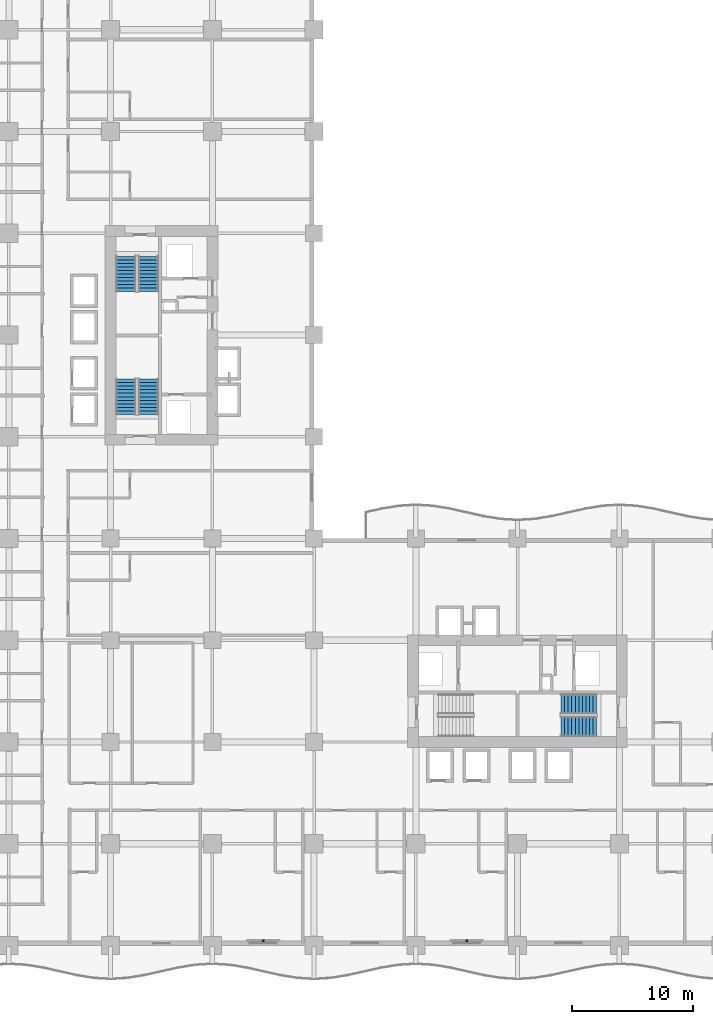
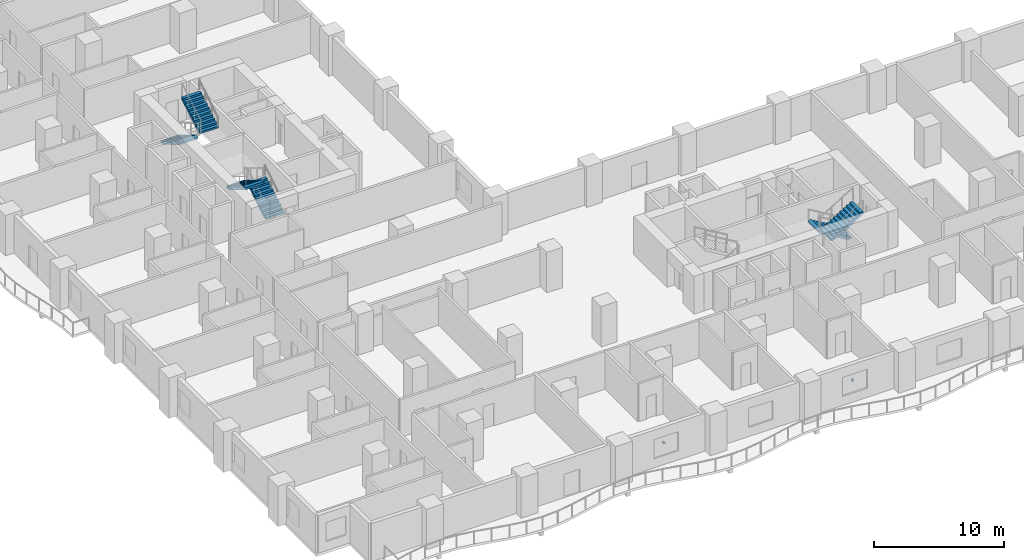
# One storey, part 18 of 23: 6 stair flights, 2 discrete accessories, 3 elements without a shape of their own.
"""IFC4 building model written with IfcOpenShell, lengths in metres."""

from ifc_helpers import new_model, si_unit, direction, frame, origin, origin_2d, place, context, subcontext, project, spatial, polyline, rectangle, outline, extrude, material, type_object, element, aggregate, save


model = new_model("IFC4")

# Units and contexts
model_context = context("Model", 3, precision=1e-05, world=origin(), true_north=direction((0.0, 1.0)))
body_context = subcontext(model_context, "Body", "Model", "MODEL_VIEW")
ifc_project = project(units=[si_unit("LENGTHUNIT", "METRE"), si_unit("AREAUNIT", "SQUARE_METRE"), si_unit("VOLUMEUNIT", "CUBIC_METRE"), si_unit("PLANEANGLEUNIT", "RADIAN"), si_unit("MASSUNIT", "GRAM", prefix="KILO")], contexts=[model_context])

# Site, building, storey
site_placement = place(None, origin())
site = spatial("IfcSite", under=ifc_project, at=site_placement, CompositionType="ELEMENT")
building_placement = place(site_placement, origin())
building = spatial("IfcBuilding", under=site, at=building_placement, Name="Koriwani Terraces Tower", CompositionType="ELEMENT")
storey_placement = place(building_placement, frame((0.0, 0.0, 32.0)))
storey = spatial("IfcBuildingStorey", under=building, at=storey_placement, Name="L06", CompositionType="ELEMENT", Elevation=32.0)

# Stair, stair flights
ifc_material_1 = material(Name="Concrete C40/50", Category="concrete")
stair_type = type_object("IfcStairType", Name="STAIR_CORE_DOGLEG_1650", PredefinedType="TWO_STRAIGHT_RUN_STAIR", material=ifc_material_1)
stair_1_placement = place(storey_placement, origin())
stair_1 = element("IfcStair", 1, at=stair_1_placement, inside=storey, type_object=stair_type, Name="L06 West Core Exit Stair 1", PredefinedType="HALF_TURN_STAIR")
stair_flight_type = type_object("IfcStairFlightType", Name="STAIR_FLIGHT_RC_1650", PredefinedType="STRAIGHT", material=ifc_material_1)
stair_flight_1_placement = place(storey_placement, frame((19.925048828125, 43.85009765625, 0.0), z_axis=(0.0, 0.0, 1.0), x_axis=(0.0, 1.0, 0.0)))
stair_flight_1 = element("IfcStairFlight", 2, at=stair_flight_1_placement, type_object=stair_flight_type, Name="ST-W1 flight 1", NumberOfRisers=11, NumberOfTreads=10, PredefinedType="STRAIGHT", RiserHeight=0.172727273, TreadLength=0.29, context=body_context, shape_type="SweptSolid", body=[
    extrude(outline(polyline([(0.0, 0.0), (0.0, 0.172607421875), (0.2900390625, 0.172607421875), (0.2900390625, 0.345458984375), (0.580078125, 0.345458984375), (0.580078125, 0.51806640625), (0.8701171875, 0.51806640625), (0.8701171875, 0.69091796875), (1.159912109375, 0.69091796875), (1.159912109375, 0.863525390625), (1.449951171875, 0.863525390625), (1.449951171875, 1.036376953125), (1.739990234375, 1.036376953125), (1.739990234375, 1.208984375), (2.030029296875, 1.208984375), (2.030029296875, 1.3818359375), (2.320068359375, 1.3818359375), (2.320068359375, 1.554443359375), (2.610107421875, 1.554443359375), (2.610107421875, 1.727294921875), (2.89990234375, 1.727294921875), (2.89990234375, 1.89990234375), (2.89990234375, 1.517822265625), (0.3515625, 0.0), (0.0, 0.0)])), frame((0.0, 0.824951171875, 0.0), z_axis=(0.0, -1.0, 0.0), x_axis=(1.0, 0.0, 0.0)), (0.0, 0.0, 1.0), 1.64990234375),
])
stair_flight_2_placement = place(storey_placement, frame((18.074951171875, 46.75, 1.89990234375), z_axis=(0.0, 0.0, 1.0), x_axis=(0.0, -1.0, 0.0)))
stair_flight_2 = element("IfcStairFlight", 3, at=stair_flight_2_placement, type_object=stair_flight_type, Name="ST-W1 flight 2", NumberOfRisers=11, NumberOfTreads=10, PredefinedType="STRAIGHT", RiserHeight=0.172727273, TreadLength=0.29, context=body_context, shape_type="SweptSolid", body=[
    extrude(outline(polyline([(0.0, 0.0), (0.0, 0.172607421875), (0.2900390625, 0.172607421875), (0.2900390625, 0.345458984375), (0.580078125, 0.345458984375), (0.580078125, 0.51806640625), (0.8701171875, 0.51806640625), (0.8701171875, 0.69091796875), (1.159912109375, 0.69091796875), (1.159912109375, 0.863525390625), (1.449951171875, 0.863525390625), (1.449951171875, 1.036376953125), (1.739990234375, 1.036376953125), (1.739990234375, 1.208984375), (2.030029296875, 1.208984375), (2.030029296875, 1.3818359375), (2.320068359375, 1.3818359375), (2.320068359375, 1.554443359375), (2.610107421875, 1.554443359375), (2.610107421875, 1.727294921875), (2.89990234375, 1.727294921875), (2.89990234375, 1.89990234375), (2.89990234375, 1.517822265625), (0.3515625, 0.0), (0.0, 0.0)])), frame((0.0, 0.824951171875, 0.0), z_axis=(0.0, -1.0, 0.0), x_axis=(1.0, 0.0, 0.0)), (0.0, 0.0, 1.0), 1.64990234375),
])
aggregate(stair_1, [stair_flight_1, stair_flight_2])

stair_2_placement = place(storey_placement, origin())
stair_2 = element("IfcStair", 4, at=stair_2_placement, inside=storey, type_object=stair_type, Name="L06 West Core Exit Stair 2", PredefinedType="HALF_TURN_STAIR")
stair_flight_3_placement = place(storey_placement, frame((18.074951171875, 56.89990234375, 0.0), z_axis=(0.0, 0.0, 1.0), x_axis=(0.0, -1.0, 0.0)))
stair_flight_3 = element("IfcStairFlight", 5, at=stair_flight_3_placement, type_object=stair_flight_type, Name="ST-W2 flight 1", NumberOfRisers=11, NumberOfTreads=10, PredefinedType="STRAIGHT", RiserHeight=0.172727273, TreadLength=0.29, context=body_context, shape_type="SweptSolid", body=[
    extrude(outline(polyline([(0.0, 0.0), (0.0, 0.172607421875), (0.2900390625, 0.172607421875), (0.2900390625, 0.345458984375), (0.580078125, 0.345458984375), (0.580078125, 0.51806640625), (0.8701171875, 0.51806640625), (0.8701171875, 0.69091796875), (1.159912109375, 0.69091796875), (1.159912109375, 0.863525390625), (1.449951171875, 0.863525390625), (1.449951171875, 1.036376953125), (1.739990234375, 1.036376953125), (1.739990234375, 1.208984375), (2.030029296875, 1.208984375), (2.030029296875, 1.3818359375), (2.320068359375, 1.3818359375), (2.320068359375, 1.554443359375), (2.610107421875, 1.554443359375), (2.610107421875, 1.727294921875), (2.89990234375, 1.727294921875), (2.89990234375, 1.89990234375), (2.89990234375, 1.517822265625), (0.3515625, 0.0), (0.0, 0.0)])), frame((0.0, 0.824951171875, 0.0), z_axis=(0.0, -1.0, 0.0), x_axis=(1.0, 0.0, 0.0)), (0.0, 0.0, 1.0), 1.64990234375),
])
stair_flight_4_placement = place(storey_placement, frame((19.925048828125, 54.0, 1.89990234375), z_axis=(0.0, 0.0, 1.0), x_axis=(0.0, 1.0, 0.0)))
stair_flight_4 = element("IfcStairFlight", 6, at=stair_flight_4_placement, type_object=stair_flight_type, Name="ST-W2 flight 2", NumberOfRisers=11, NumberOfTreads=10, PredefinedType="STRAIGHT", RiserHeight=0.172727273, TreadLength=0.29, context=body_context, shape_type="SweptSolid", body=[
    extrude(outline(polyline([(0.0, 0.0), (0.0, 0.172607421875), (0.2900390625, 0.172607421875), (0.2900390625, 0.345458984375), (0.580078125, 0.345458984375), (0.580078125, 0.51806640625), (0.8701171875, 0.51806640625), (0.8701171875, 0.69091796875), (1.159912109375, 0.69091796875), (1.159912109375, 0.863525390625), (1.449951171875, 0.863525390625), (1.449951171875, 1.036376953125), (1.739990234375, 1.036376953125), (1.739990234375, 1.208984375), (2.030029296875, 1.208984375), (2.030029296875, 1.3818359375), (2.320068359375, 1.3818359375), (2.320068359375, 1.554443359375), (2.610107421875, 1.554443359375), (2.610107421875, 1.727294921875), (2.89990234375, 1.727294921875), (2.89990234375, 1.89990234375), (2.89990234375, 1.517822265625), (0.3515625, 0.0), (0.0, 0.0)])), frame((0.0, 0.824951171875, 0.0), z_axis=(0.0, -1.0, 0.0), x_axis=(1.0, 0.0, 0.0)), (0.0, 0.0, 1.0), 1.64990234375),
])
aggregate(stair_2, [stair_flight_3, stair_flight_4])

stair_3_placement = place(storey_placement, origin())
stair_3 = element("IfcStair", 7, at=stair_3_placement, inside=storey, type_object=stair_type, Name="L06 East Core Exit Stair 2", PredefinedType="HALF_TURN_STAIR")
stair_flight_5_placement = place(storey_placement, frame((56.89990234375, 19.925048828125, 0.0), z_axis=(0.0, 0.0, 1.0), x_axis=(-1.0, 0.0, 0.0)))
stair_flight_5 = element("IfcStairFlight", 8, at=stair_flight_5_placement, type_object=stair_flight_type, Name="ST-E2 flight 1", NumberOfRisers=11, NumberOfTreads=10, PredefinedType="STRAIGHT", RiserHeight=0.172727273, TreadLength=0.29, context=body_context, shape_type="SweptSolid", body=[
    extrude(outline(polyline([(0.0, 0.0), (0.0, 0.172607421875), (0.2900390625, 0.172607421875), (0.2900390625, 0.345458984375), (0.580078125, 0.345458984375), (0.580078125, 0.51806640625), (0.8701171875, 0.51806640625), (0.8701171875, 0.69091796875), (1.159912109375, 0.69091796875), (1.159912109375, 0.863525390625), (1.449951171875, 0.863525390625), (1.449951171875, 1.036376953125), (1.739990234375, 1.036376953125), (1.739990234375, 1.208984375), (2.030029296875, 1.208984375), (2.030029296875, 1.3818359375), (2.320068359375, 1.3818359375), (2.320068359375, 1.554443359375), (2.610107421875, 1.554443359375), (2.610107421875, 1.727294921875), (2.89990234375, 1.727294921875), (2.89990234375, 1.89990234375), (2.89990234375, 1.517822265625), (0.3515625, 0.0), (0.0, 0.0)])), frame((0.0, 0.824951171875, 0.0), z_axis=(0.0, -1.0, 0.0), x_axis=(1.0, 0.0, 0.0)), (0.0, 0.0, 1.0), 1.64990234375),
])
stair_flight_6_placement = place(storey_placement, frame((54.0, 18.074951171875, 1.89990234375), z_axis=(0.0, 0.0, 1.0), x_axis=(1.0, 0.0, 0.0)))
stair_flight_6 = element("IfcStairFlight", 9, at=stair_flight_6_placement, type_object=stair_flight_type, Name="ST-E2 flight 2", NumberOfRisers=11, NumberOfTreads=10, PredefinedType="STRAIGHT", RiserHeight=0.172727273, TreadLength=0.29, context=body_context, shape_type="SweptSolid", body=[
    extrude(outline(polyline([(0.0, 0.0), (0.0, 0.172607421875), (0.2900390625, 0.172607421875), (0.2900390625, 0.345458984375), (0.580078125, 0.345458984375), (0.580078125, 0.51806640625), (0.8701171875, 0.51806640625), (0.8701171875, 0.69091796875), (1.159912109375, 0.69091796875), (1.159912109375, 0.863525390625), (1.449951171875, 0.863525390625), (1.449951171875, 1.036376953125), (1.739990234375, 1.036376953125), (1.739990234375, 1.208984375), (2.030029296875, 1.208984375), (2.030029296875, 1.3818359375), (2.320068359375, 1.3818359375), (2.320068359375, 1.554443359375), (2.610107421875, 1.554443359375), (2.610107421875, 1.727294921875), (2.89990234375, 1.727294921875), (2.89990234375, 1.89990234375), (2.89990234375, 1.517822265625), (0.3515625, 0.0), (0.0, 0.0)])), frame((0.0, 0.824951171875, 0.0), z_axis=(0.0, -1.0, 0.0), x_axis=(1.0, 0.0, 0.0)), (0.0, 0.0, 1.0), 1.64990234375),
])
aggregate(stair_3, [stair_flight_5, stair_flight_6])

# Discrete accessories
ifc_material_2 = material(Name="Steel ASTM A572 Grade 50", Category="steel")
discrete_accessory_type = type_object("IfcDiscreteAccessoryType", Name="BAGUETTE_STANDOFF_BRACKET", PredefinedType="BRACKET", material=ifc_material_2)
for number, where, z_axis, x_axis, name in (
    (10, (29.39990234375, 0.389892578125, 1.68505859375), (0.0, 0.0, 1.0), (-1.0, 0.0, 0.0), "L06 Terracotta Baguette Bracket (S-9)"),
    (11, (46.199951171875, 0.389892578125, 1.68505859375), (0.0, 0.0, 1.0), (-1.0, 0.0, 0.0), "L06 Terracotta Baguette Bracket (S-15)"),
):
    element("IfcDiscreteAccessory", number, at=place(storey_placement, frame(where, z_axis=z_axis, x_axis=x_axis)), inside=storey, type_object=discrete_accessory_type, Name=name, PredefinedType="BRACKET", context=body_context, shape_type="SweptSolid", body=[
        extrude(rectangle(XDim=0.159912109375, YDim=0.199951171875, at=origin_2d()), origin(), (0.0, 0.0, 1.0), 0.179931640625),
    ])

save(model, "model.ifc")
